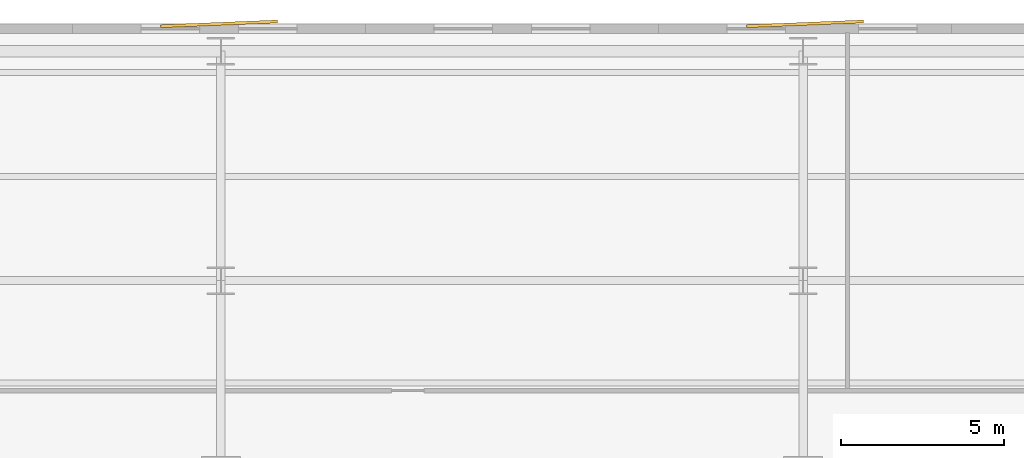
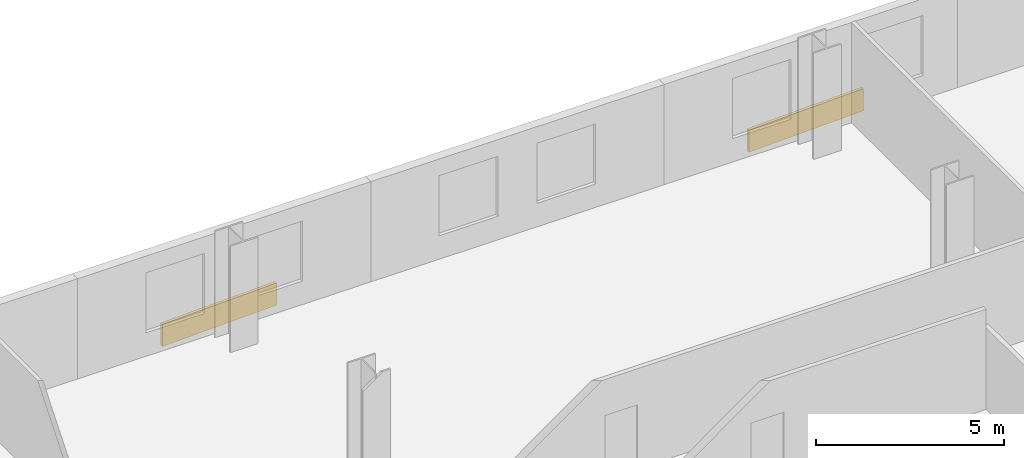
# One storey, part 10 of 10: 2 coverings.
"""IFC4 building model written with IfcOpenShell, lengths in metres."""

from ifc_helpers import new_model, si_unit, direction, frame, origin, origin_2d, place, context, subcontext, project, spatial, rectangle, extrude, material, layer, layer_set, type_object, element, save


model = new_model("IFC4")

# Units and contexts
model_context = context("Model", 3, precision=1e-05, world=origin(), true_north=direction((0.0, 1.0)))
body_context = subcontext(model_context, "Body", "Model", "MODEL_VIEW")
ifc_project = project(units=[si_unit("LENGTHUNIT", "METRE"), si_unit("AREAUNIT", "SQUARE_METRE"), si_unit("VOLUMEUNIT", "CUBIC_METRE"), si_unit("PLANEANGLEUNIT", "RADIAN"), si_unit("MASSUNIT", "GRAM", prefix="KILO")], contexts=[model_context])

# Site, building, storey
site_placement = place(None, origin())
site = spatial("IfcSite", under=ifc_project, at=site_placement, CompositionType="ELEMENT")
building_placement = place(site_placement, origin())
building = spatial("IfcBuilding", under=site, at=building_placement, Name="Velakula Bourse", CompositionType="ELEMENT")
storey_placement = place(building_placement, frame((0.0, 0.0, 34.64990234375)))
storey = spatial("IfcBuildingStorey", under=building, at=storey_placement, Name="L08", CompositionType="ELEMENT", Elevation=34.64990234375)

# Coverings
ifc_material = material(Name="Red kilned clay facing brick masonry", Category="masonry")
ifc_layer = layer(ifc_material, 0.090087890625, Name="Red kilned clay facing brick masonry", Category="masonry")
ifc_layer_set = layer_set([ifc_layer], Name="Red kilned clay facing brick masonry")
covering_type = type_object("IfcCoveringType", Name="COV-BRK-FOLD-90", PredefinedType="CLADDING", material=ifc_layer_set)
for number, where, z_axis, x_axis, name in (
    (1, (-9.0, 22.489990234375, 0.0), (0.0, 0.0, 1.0), (0.999158993058, 0.041003738744, 0.0), "L08 Folded Brick Facade Cladding Panel N-B2"),
    (2, (9.0, 22.489990234375, 0.0), (0.0, 0.0, 1.0), (0.999158993058, 0.041003738744, 0.0), "L08 Folded Brick Facade Cladding Panel N-B4"),
):
    element("IfcCovering", number, at=place(storey_placement, frame(where, z_axis=z_axis, x_axis=x_axis)), inside=storey, type_object=covering_type, Name=name, PredefinedType="CLADDING", context=body_context, shape_type="SweptSolid", body=[
        extrude(rectangle(XDim=3.60009765625, YDim=0.090087890625, at=origin_2d()), origin(), (0.0, 0.0, 1.0), 0.719970703125),
    ])

save(model, "model.ifc")
